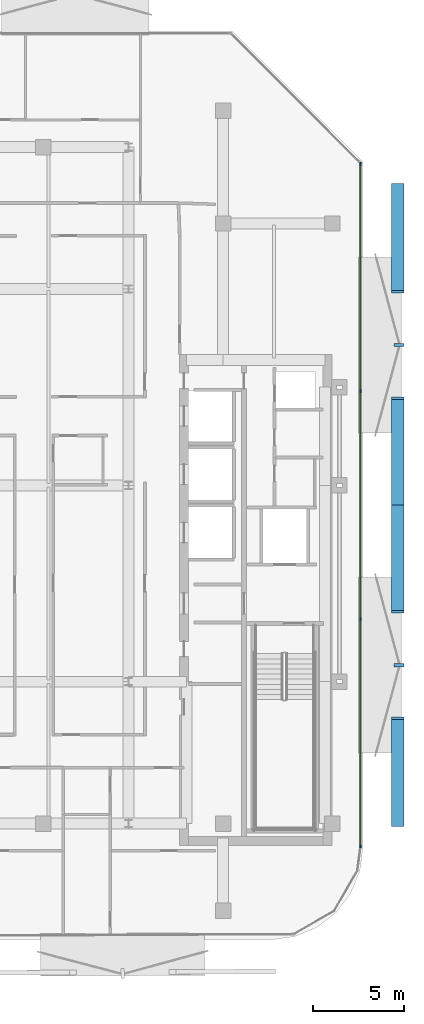
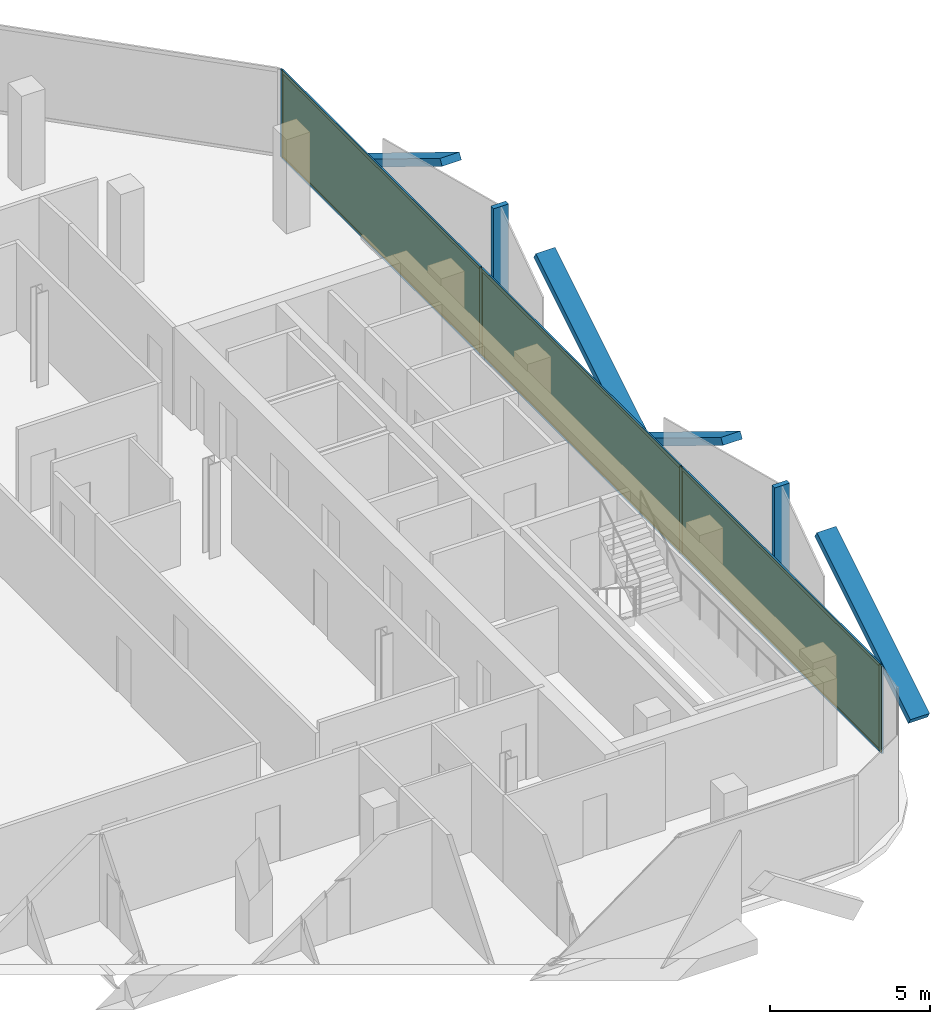
# One storey, part 10 of 15: 16 members, 3 plates, 1 curtain wall.
"""IFC4 building model written with IfcOpenShell, lengths in metres."""

import ifcopenshell
import ifcopenshell.guid

model = None  # the IFC model being written
_history = None  # IfcOwnerHistory: only IFC2X3 demands one
_inside = {}  # id of a spatial element -> (the spatial element, [elements in it])
_under = {}  # id of a project, library or spatial element -> (it, [spatial elements below it])
_declared = {}  # id of a project -> (the project, [libraries it declares])
_typed = {}  # id of a type object -> (the type object, [elements of that type])
_made_of = {}  # id of a material, layer set ... -> (it, [elements and type objects made of it])


def new_model(schema):
    """Start an empty IFC model of exactly this schema.

    Asked for "IFC4X3", IfcOpenShell would pick the latest addendum, in which some entities
    have other attributes; the version numbers below select the first issue.
    IFC2X3 requires an IfcOwnerHistory on every rooted entity: one is made here for all.
    """
    global model, _history
    if schema == "IFC4X3":
        model = ifcopenshell.file(schema_version=(4, 3, 0, 0))
    else:
        model = ifcopenshell.file(schema=schema)
    _inside.clear()
    _under.clear()
    _declared.clear()
    _typed.clear()
    _made_of.clear()
    _history = None
    if model.schema == "IFC2X3":
        org = make("IfcOrganization", Name="unknown")
        user = make(
            "IfcPersonAndOrganization",
            ThePerson=make("IfcPerson", FamilyName="unknown"),
            TheOrganization=org,
        )
        app = make(
            "IfcApplication",
            ApplicationDeveloper=org,
            Version="unknown",
            ApplicationFullName="unknown",
            ApplicationIdentifier="unknown",
        )
        _history = make(
            "IfcOwnerHistory",
            OwningUser=user,
            OwningApplication=app,
            ChangeAction="ADDED",
            CreationDate=0,
        )
    return model


def make(cls, **values):
    """One entity of the class cls with the attributes given. An attribute that is None is left unset."""
    return model.create_entity(
        cls, **{name: value for name, value in values.items() if value is not None}
    )


def rooted(cls, **values):
    """An entity with a GlobalId (a new one), such as an element, a storey or a relation."""
    return make(cls, GlobalId=ifcopenshell.guid.new(), OwnerHistory=_history, **values)


def si_unit(unit_type, name, prefix=None):
    """IfcSIUnit, for example si_unit("LENGTHUNIT", "METRE", prefix="MILLI")."""
    return make("IfcSIUnit", UnitType=unit_type, Prefix=prefix, Name=name)


def assignment(units):
    """IfcUnitAssignment: the units of a project."""
    return None if units is None else make("IfcUnitAssignment", Units=units)


def point(xyz):
    """IfcCartesianPoint."""
    return None if xyz is None else make("IfcCartesianPoint", Coordinates=xyz)


def direction(xyz):
    """IfcDirection."""
    return None if xyz is None else make("IfcDirection", DirectionRatios=xyz)


def frame(location, z_axis=None, x_axis=None):
    """IfcAxis2Placement3D, a coordinate frame: its origin and axes. An axis left out is left unset."""
    return make(
        "IfcAxis2Placement3D",
        Location=point(location),
        Axis=direction(z_axis),
        RefDirection=direction(x_axis),
    )


def frame_2d(location, x_axis=None):
    """IfcAxis2Placement2D, a coordinate frame in the plane: its origin and x axis."""
    return make(
        "IfcAxis2Placement2D", Location=point(location), RefDirection=direction(x_axis)
    )


def origin():
    """The frame at (0, 0, 0) with its axes left unset."""
    return frame((0.0, 0.0, 0.0))


def origin_2d():
    """The frame at (0, 0) in the plane with its x axis left unset."""
    return frame_2d((0.0, 0.0))


def place(relative_to, where):
    """IfcLocalPlacement: puts the frame where relative to a parent placement (None: the world)."""
    return make(
        "IfcLocalPlacement", PlacementRelTo=relative_to, RelativePlacement=where
    )


def context(
    kind, dimensions, precision=None, world=None, true_north=None, identifier=None
):
    """IfcGeometricRepresentationContext, for example the 3D "Model" context."""
    return make(
        "IfcGeometricRepresentationContext",
        ContextIdentifier=identifier,
        ContextType=kind,
        CoordinateSpaceDimension=dimensions,
        Precision=precision,
        WorldCoordinateSystem=world,
        TrueNorth=true_north,
    )


def subcontext(parent, identifier, kind, view, scale=None):
    """IfcGeometricRepresentationSubContext, for example "Body" below "Model"."""
    return make(
        "IfcGeometricRepresentationSubContext",
        ContextIdentifier=identifier,
        ContextType=kind,
        ParentContext=parent,
        TargetScale=scale,
        TargetView=view,
    )


def project(units=None, contexts=None):
    """IfcProject with its units and contexts."""
    return rooted(
        "IfcProject",
        Name="project",
        RepresentationContexts=contexts,
        UnitsInContext=assignment(units),
    )


def spatial(cls, under=None, at=None, **own):
    """A site, building, storey or space (cls), placed at a placement, below another one or the project."""
    s = rooted(cls, ObjectPlacement=at, **own)
    if under is not None:
        _under.setdefault(under.id(), (under, []))[1].append(s)
    return s


def profile(cls, at=None, kind="AREA", **sizes):
    """A parametric profile (cls). Its sizes go by their IFC names, for example OverallWidth=200.0."""
    return make(cls, ProfileType=kind, Position=at, **sizes)


def rectangle(**sizes):
    """IfcRectangleProfileDef."""
    return profile("IfcRectangleProfileDef", **sizes)


def extrude(swept, where, along, depth):
    """IfcExtrudedAreaSolid: the profile swept, set in the frame where, extruded along a direction by depth."""
    return make(
        "IfcExtrudedAreaSolid",
        SweptArea=swept,
        Position=where,
        ExtrudedDirection=direction(along),
        Depth=depth,
    )


def shape(context_of_items, identifier, shape_type, items):
    """IfcShapeRepresentation: the items that make up one representation, for example the "Body"."""
    return make(
        "IfcShapeRepresentation",
        ContextOfItems=context_of_items,
        RepresentationIdentifier=identifier,
        RepresentationType=shape_type,
        Items=items,
    )


def material(Name=None, Category=None):
    """IfcMaterial."""
    return make("IfcMaterial", Name=Name, Category=Category)


def layer(
    of_material, thickness, ventilated=None, Name=None, Category=None, Priority=None
):
    """IfcMaterialLayer: one layer of a wall or slab, of a material (None: an air gap)."""
    return make(
        "IfcMaterialLayer",
        Material=of_material,
        LayerThickness=thickness,
        IsVentilated=ventilated,
        Name=Name,
        Category=Category,
        Priority=Priority,
    )


def layer_set(layers, Name=None):
    """IfcMaterialLayerSet."""
    return make("IfcMaterialLayerSet", MaterialLayers=layers, LayerSetName=Name)


def material_profile(
    of_material, cross_section, Name=None, Category=None, Priority=None
):
    """IfcMaterialProfile: a cross section and its material."""
    return make(
        "IfcMaterialProfile",
        Name=Name,
        Material=of_material,
        Profile=cross_section,
        Priority=Priority,
        Category=Category,
    )


def profile_set(profiles, Name=None, composite=None):
    """IfcMaterialProfileSet."""
    return make(
        "IfcMaterialProfileSet",
        Name=Name,
        MaterialProfiles=profiles,
        CompositeProfile=composite,
    )


def made_of(thing, what):
    """Note that an element or type object is made of a material, layer set ...; save() writes the relation."""
    if what is not None:
        _made_of.setdefault(what.id(), (what, []))[1].append(thing)
    return thing


def type_object(cls, material=None, **own):
    """A type object (cls), such as IfcWallType, which elements share."""
    return made_of(rooted(cls, **own), material)


def element(
    cls,
    number,
    at=None,
    inside=None,
    cuts=None,
    type_object=None,
    material=None,
    context=None,
    identifier="Body",
    shape_type=None,
    held_by="IfcProductDefinitionShape",
    body=None,
    shapes=None,
    **own,
):
    """One element of the class cls, such as IfcWall. Its Tag is "e" and its number.

    at: its placement. inside: the storey or other place that contains it. cuts: it is an
    opening in that element (IfcRelVoidsElement). A single representation is given by context,
    identifier, shape_type and body (its items); several are given by shapes. held_by: the class
    of the entity that holds the representations. save() writes the other relations.
    """
    e = rooted(cls, Tag="e%d" % number, ObjectPlacement=at, **own)
    if body is not None:
        shapes = [shape(context, identifier, shape_type, body)]
    if shapes is not None:
        e.Representation = make(held_by, Representations=shapes)
    if inside is not None:
        _inside.setdefault(inside.id(), (inside, []))[1].append(e)
    if cuts is not None:
        rooted(
            "IfcRelVoidsElement", RelatingBuildingElement=cuts, RelatedOpeningElement=e
        )
    if type_object is not None:
        _typed.setdefault(type_object.id(), (type_object, []))[1].append(e)
    return made_of(e, material)


def aggregate(whole, parts):
    """IfcRelAggregates: a whole, such as a stair, and the parts it consists of."""
    return rooted("IfcRelAggregates", RelatingObject=whole, RelatedObjects=parts)


def save(model, path):
    """Write the relations noted so far, then the file.

    IfcRelAggregates (storeys below a building ...), IfcRelContainedInSpatialStructure (elements
    in a storey), IfcRelDefinesByType, IfcRelAssociatesMaterial and IfcRelDeclares: one each for
    every whole, place, type object, material and project.
    """
    for whole, parts in _under.values():
        aggregate(whole, parts)
    for where, things in _inside.values():
        rooted(
            "IfcRelContainedInSpatialStructure",
            RelatedElements=things,
            RelatingStructure=where,
        )
    for kind, things in _typed.values():
        rooted("IfcRelDefinesByType", RelatedObjects=things, RelatingType=kind)
    for what, things in _made_of.values():
        rooted("IfcRelAssociatesMaterial", RelatedObjects=things, RelatingMaterial=what)
    for by, libraries in _declared.values():
        rooted("IfcRelDeclares", RelatingContext=by, RelatedDefinitions=libraries)
    model.write(path)


model = new_model("IFC4")

# Units and contexts
model_context = context("Model", 3, precision=1e-05, world=origin(), true_north=direction((0.0, 1.0)))
body_context = subcontext(model_context, "Body", "Model", "MODEL_VIEW")
ifc_project = project(units=[si_unit("LENGTHUNIT", "METRE"), si_unit("AREAUNIT", "SQUARE_METRE"), si_unit("VOLUMEUNIT", "CUBIC_METRE"), si_unit("PLANEANGLEUNIT", "RADIAN"), si_unit("MASSUNIT", "GRAM", prefix="KILO")], contexts=[model_context])

# Member
ifc_material_1 = material(Name="Anodised Bronze Aluminium 6063-T6", Category="aluminium")
ifc_material_profile_1 = material_profile(ifc_material_1, rectangle(XDim=0.260009765625, YDim=0.699951171875, at=origin_2d()))
ifc_profile_set_1 = profile_set([ifc_material_profile_1], Name="Anodised Bronze Aluminium 6063-T6")
member_type_1 = type_object("IfcMemberType", Name="Bronze Diamond Solar-Screen Lattice Rib BDL-700", PredefinedType="MULLION", material=ifc_profile_set_1)
site_placement = place(None, origin())
building_placement = place(site_placement, origin())
storey_placement = place(building_placement, frame((0.0, 0.0, 254.800048828125)))
member_1_placement = place(storey_placement, frame((24.0, 16.52197265625, -0.130126953125), z_axis=(0.0, -0.85239529103, 0.52289795164), x_axis=(0.0, -0.52289795164, -0.85239529103)))
member_1 = element("IfcMember", 1, at=member_1_placement, type_object=member_type_1, Name="L60 Bronze Diamond Solar Screen Lattice Rib 415A", PredefinedType="MULLION", context=body_context, shape_type="SweptSolid", body=[
    extrude(rectangle(XDim=0.260009765625, YDim=0.699951171875, at=origin_2d()), origin(), (0.0, 0.0, 1.0), 6.885009765625),
])

member_2_placement = place(storey_placement, frame((24.0, -1.08447265625, -0.130126953125), z_axis=(0.0, 0.852404986233, 0.522882146803), x_axis=(0.0, 0.522882146803, -0.852404986233)))
member_2 = element("IfcMember", 2, at=member_2_placement, type_object=member_type_1, Name="L60 Bronze Diamond Solar Screen Lattice Rib 415B", PredefinedType="MULLION", context=body_context, shape_type="SweptSolid", body=[
    extrude(rectangle(XDim=0.260009765625, YDim=0.699951171875, at=origin_2d()), origin(), (0.0, 0.0, 1.0), 6.885009765625),
])

member_3_placement = place(storey_placement, frame((24.0, -1.08447265625, -0.130126953125), z_axis=(0.0, -0.85239529103, 0.52289795164), x_axis=(0.0, -0.52289795164, -0.85239529103)))
member_3 = element("IfcMember", 3, at=member_3_placement, type_object=member_type_1, Name="L60 Bronze Diamond Solar Screen Lattice Rib 416A", PredefinedType="MULLION", context=body_context, shape_type="SweptSolid", body=[
    extrude(rectangle(XDim=0.260009765625, YDim=0.699951171875, at=origin_2d()), origin(), (0.0, 0.0, 1.0), 6.885009765625),
])

member_4_placement = place(storey_placement, frame((24.0, -18.69091796875, -0.130126953125), z_axis=(0.0, 0.852404986233, 0.522882146803), x_axis=(0.0, 0.522882146803, -0.852404986233)))
member_4 = element("IfcMember", 4, at=member_4_placement, type_object=member_type_1, Name="L60 Bronze Diamond Solar Screen Lattice Rib 416B", PredefinedType="MULLION", context=body_context, shape_type="SweptSolid", body=[
    extrude(rectangle(XDim=0.260009765625, YDim=0.699951171875, at=origin_2d()), origin(), (0.0, 0.0, 1.0), 6.885009765625),
])

ifc_material_2 = material(Name="Anodised Bronze Aluminium 6063-T6", Category="aluminium")
ifc_material_profile_2 = material_profile(ifc_material_2, rectangle(XDim=0.179931640625, YDim=0.5400390625, at=origin_2d()))
ifc_profile_set_2 = profile_set([ifc_material_profile_2], Name="Anodised Bronze Aluminium 6063-T6")
member_type_2 = type_object("IfcMemberType", Name="Bronze Solar-Screen Vertical Fold Fin BSF-540", PredefinedType="MULLION", material=ifc_profile_set_2)
member_5_placement = place(storey_placement, frame((24.080078125, 7.71875, -0.130126953125), z_axis=(0.0, 0.0, 1.0), x_axis=(0.0, -1.0, 0.0)))
member_5 = element("IfcMember", 5, at=member_5_placement, type_object=member_type_2, Name="L60 Bronze Solar Screen Vertical Fin 415", PredefinedType="MULLION", context=body_context, shape_type="SweptSolid", body=[
    extrude(rectangle(XDim=0.179931640625, YDim=0.5400390625, at=origin_2d()), origin(), (0.0, 0.0, 1.0), 3.60009765625),
])

member_6_placement = place(storey_placement, frame((24.080078125, -9.8876953125, -0.130126953125), z_axis=(0.0, 0.0, 1.0), x_axis=(0.0, -1.0, 0.0)))
member_6 = element("IfcMember", 6, at=member_6_placement, type_object=member_type_2, Name="L60 Bronze Solar Screen Vertical Fin 416", PredefinedType="MULLION", context=body_context, shape_type="SweptSolid", body=[
    extrude(rectangle(XDim=0.179931640625, YDim=0.5400390625, at=origin_2d()), origin(), (0.0, 0.0, 1.0), 3.60009765625),
])

ifc_material_3 = material(Name="Anodised Bronze Aluminium 6063-T6", Category="aluminium")
ifc_material_profile_3 = material_profile(ifc_material_3, rectangle(XDim=0.06005859375, YDim=0.159912109375, at=origin_2d()))
ifc_profile_set_3 = profile_set([ifc_material_profile_3], Name="Anodised Bronze Aluminium 6063-T6")
member_type_3 = type_object("IfcMemberType", Name="CW-Z4 Mullion 60x160", PredefinedType="MULLION", material=ifc_profile_set_3)
member_7_placement = place(storey_placement, frame((21.9599609375, 17.69189453125, 0.0), z_axis=(0.0, 0.0, 1.0), x_axis=(1.0, 0.0, 0.0)))
member_7 = element("IfcMember", 7, at=member_7_placement, type_object=member_type_3, Name="CW-Z4 mullion 1", PredefinedType="MULLION", context=body_context, shape_type="SweptSolid", body=[
    extrude(rectangle(XDim=0.06005859375, YDim=0.159912109375, at=origin_2d()), origin(), (0.0, 0.0, 1.0), 3.33984375),
])

member_8_placement = place(storey_placement, frame((21.9599609375, 5.184326171875, 0.0), z_axis=(0.0, 0.0, 1.0), x_axis=(1.0, 0.0, 0.0)))
member_8 = element("IfcMember", 8, at=member_8_placement, type_object=member_type_3, Name="CW-Z4 mullion 2", PredefinedType="MULLION", context=body_context, shape_type="SweptSolid", body=[
    extrude(rectangle(XDim=0.06005859375, YDim=0.159912109375, at=origin_2d()), origin(), (0.0, 0.0, 1.0), 3.33984375),
])

member_9_placement = place(storey_placement, frame((21.9599609375, -7.353271484375, 0.0), z_axis=(0.0, 0.0, 1.0), x_axis=(1.0, 0.0, 0.0)))
member_9 = element("IfcMember", 9, at=member_9_placement, type_object=member_type_3, Name="CW-Z4 mullion 3", PredefinedType="MULLION", context=body_context, shape_type="SweptSolid", body=[
    extrude(rectangle(XDim=0.06005859375, YDim=0.159912109375, at=origin_2d()), origin(), (0.0, 0.0, 1.0), 3.33984375),
])

member_10_placement = place(storey_placement, frame((21.9599609375, -19.86083984375, 0.0), z_axis=(0.0, 0.0, 1.0), x_axis=(1.0, 0.0, 0.0)))
member_10 = element("IfcMember", 10, at=member_10_placement, type_object=member_type_3, Name="CW-Z4 mullion 4", PredefinedType="MULLION", context=body_context, shape_type="SweptSolid", body=[
    extrude(rectangle(XDim=0.06005859375, YDim=0.159912109375, at=origin_2d()), origin(), (0.0, 0.0, 1.0), 3.33984375),
])

ifc_material_4 = material(Name="Anodised Bronze Aluminium 6063-T6", Category="aluminium")
ifc_material_profile_4 = material_profile(ifc_material_4, rectangle(XDim=0.06005859375, YDim=0.125, at=origin_2d()))
ifc_profile_set_4 = profile_set([ifc_material_profile_4], Name="Anodised Bronze Aluminium 6063-T6")
member_type_4 = type_object("IfcMemberType", Name="CW-Z4 Transom 60x125", PredefinedType="USERDEFINED", material=ifc_profile_set_4)
member_11_placement = place(storey_placement, frame((21.9599609375, 17.662109375, 0.030029296875), z_axis=(0.0, -1.0, 0.0), x_axis=(1.0, 0.0, 0.0)))
member_11 = element("IfcMember", 11, at=member_11_placement, type_object=member_type_4, Name="CW-Z4 transom 1.1", ObjectType="TRANSOM", PredefinedType="USERDEFINED", context=body_context, shape_type="SweptSolid", body=[
    extrude(rectangle(XDim=0.06005859375, YDim=0.125, at=origin_2d()), origin(), (0.0, 0.0, 1.0), 12.44775390625),
])

member_12_placement = place(storey_placement, frame((21.9599609375, 17.662109375, 3.31005859375), z_axis=(0.0, -1.0, 0.0), x_axis=(1.0, 0.0, 0.0)))
member_12 = element("IfcMember", 12, at=member_12_placement, type_object=member_type_4, Name="CW-Z4 transom 1.2", ObjectType="TRANSOM", PredefinedType="USERDEFINED", context=body_context, shape_type="SweptSolid", body=[
    extrude(rectangle(XDim=0.06005859375, YDim=0.125, at=origin_2d()), origin(), (0.0, 0.0, 1.0), 12.44775390625),
])

member_13_placement = place(storey_placement, frame((21.9599609375, 5.154296875, 0.030029296875), z_axis=(0.0, -1.0, 0.0), x_axis=(1.0, 0.0, 0.0)))
member_13 = element("IfcMember", 13, at=member_13_placement, type_object=member_type_4, Name="CW-Z4 transom 2.1", ObjectType="TRANSOM", PredefinedType="USERDEFINED", context=body_context, shape_type="SweptSolid", body=[
    extrude(rectangle(XDim=0.06005859375, YDim=0.125, at=origin_2d()), origin(), (0.0, 0.0, 1.0), 12.4775390625),
])

member_14_placement = place(storey_placement, frame((21.9599609375, 5.154296875, 3.31005859375), z_axis=(0.0, -1.0, 0.0), x_axis=(1.0, 0.0, 0.0)))
member_14 = element("IfcMember", 14, at=member_14_placement, type_object=member_type_4, Name="CW-Z4 transom 2.2", ObjectType="TRANSOM", PredefinedType="USERDEFINED", context=body_context, shape_type="SweptSolid", body=[
    extrude(rectangle(XDim=0.06005859375, YDim=0.125, at=origin_2d()), origin(), (0.0, 0.0, 1.0), 12.4775390625),
])

member_15_placement = place(storey_placement, frame((21.9599609375, -7.38330078125, 0.030029296875), z_axis=(0.0, -1.0, 0.0), x_axis=(1.0, 0.0, 0.0)))
member_15 = element("IfcMember", 15, at=member_15_placement, type_object=member_type_4, Name="CW-Z4 transom 3.1", ObjectType="TRANSOM", PredefinedType="USERDEFINED", context=body_context, shape_type="SweptSolid", body=[
    extrude(rectangle(XDim=0.06005859375, YDim=0.125, at=origin_2d()), origin(), (0.0, 0.0, 1.0), 12.447509765625),
])

member_16_placement = place(storey_placement, frame((21.9599609375, -7.38330078125, 3.31005859375), z_axis=(0.0, -1.0, 0.0), x_axis=(1.0, 0.0, 0.0)))
member_16 = element("IfcMember", 16, at=member_16_placement, type_object=member_type_4, Name="CW-Z4 transom 3.2", ObjectType="TRANSOM", PredefinedType="USERDEFINED", context=body_context, shape_type="SweptSolid", body=[
    extrude(rectangle(XDim=0.06005859375, YDim=0.125, at=origin_2d()), origin(), (0.0, 0.0, 1.0), 12.447509765625),
])

# Plate
ifc_material_5 = material(Name="Low-E Solar Control Laminated Glass", Category="glass")
ifc_layer_1 = layer(ifc_material_5, 0.030029296875, Name="Low-E Solar Control Laminated Glass")
ifc_layer_set_1 = layer_set([ifc_layer_1], Name="Low-E Solar Control Laminated Glass")
plate_type = type_object("IfcPlateType", Name="CW-Z4 Low-E Double Glazed Panel 30mm", PredefinedType="CURTAIN_PANEL", material=ifc_layer_set_1)
plate_1_placement = place(storey_placement, frame((21.9599609375, 11.438232421875, 0.06005859375), z_axis=(0.0, 0.0, 1.0), x_axis=(0.0, -1.0, 0.0)))
plate_1 = element("IfcPlate", 17, at=plate_1_placement, type_object=plate_type, Name="CW-Z4 panel 1.1", PredefinedType="CURTAIN_PANEL", context=body_context, shape_type="SweptSolid", body=[
    extrude(rectangle(XDim=12.447509765625, YDim=0.030029296875, at=origin_2d()), origin(), (0.0, 0.0, 1.0), 3.219970703125),
])

plate_2_placement = place(storey_placement, frame((21.9599609375, -1.08447265625, 0.06005859375), z_axis=(0.0, 0.0, 1.0), x_axis=(0.0, -1.0, 0.0)))
plate_2 = element("IfcPlate", 18, at=plate_2_placement, type_object=plate_type, Name="CW-Z4 panel 2.1", PredefinedType="CURTAIN_PANEL", context=body_context, shape_type="SweptSolid", body=[
    extrude(rectangle(XDim=12.4775390625, YDim=0.030029296875, at=origin_2d()), origin(), (0.0, 0.0, 1.0), 3.219970703125),
])

plate_3_placement = place(storey_placement, frame((21.9599609375, -13.60693359375, 0.06005859375), z_axis=(0.0, 0.0, 1.0), x_axis=(0.0, -1.0, 0.0)))
plate_3 = element("IfcPlate", 19, at=plate_3_placement, type_object=plate_type, Name="CW-Z4 panel 3.1", PredefinedType="CURTAIN_PANEL", context=body_context, shape_type="SweptSolid", body=[
    extrude(rectangle(XDim=12.447509765625, YDim=0.030029296875, at=origin_2d()), origin(), (0.0, 0.0, 1.0), 3.219970703125),
])

# Site, building, storey
site = spatial("IfcSite", under=ifc_project, at=site_placement, CompositionType="ELEMENT")
building = spatial("IfcBuilding", under=site, at=building_placement, Name="Khairoan Windgate Tower", CompositionType="ELEMENT")
storey = spatial("IfcBuildingStorey", under=building, at=storey_placement, Name="L60", CompositionType="ELEMENT", Elevation=254.800048828125)

# Curtain wall
ifc_material_6 = material(Name="Anodised Bronze Aluminium 6063-T6", Category="aluminium")
ifc_layer_2 = layer(ifc_material_6, 0.159912109375, Name="Anodised Bronze Aluminium 6063-T6")
ifc_layer_set_2 = layer_set([ifc_layer_2], Name="Anodised Bronze Aluminium 6063-T6")
curtain_wall_type = type_object("IfcCurtainWallType", Name="Sky Residence Unitised Curtain Wall CW-Z4", PredefinedType="NOTDEFINED", material=ifc_layer_set_2)
curtain_wall_placement = place(storey_placement, frame((21.9599609375, 17.721923828125, 0.0), z_axis=(0.0, 0.0, 1.0), x_axis=(0.0, -1.0, 0.0)))
curtain_wall = element("IfcCurtainWall", 20, at=curtain_wall_placement, inside=storey, type_object=curtain_wall_type, Name="L60 Unitised Curtain Wall 11", PredefinedType="NOTDEFINED", context=body_context, shape_type="SweptSolid", body=[
    extrude(rectangle(XDim=37.61279296875, YDim=0.010009765625, at=frame_2d((18.806396484375, 0.0))), origin(), (0.0, 0.0, 1.0), 3.33984375),
])

aggregate(curtain_wall, [member_7, member_8, member_9, member_10, member_11, member_12, plate_1, member_13, member_14, plate_2, member_15, member_16, plate_3, member_1, member_2, member_5, member_3, member_4, member_6])

save(model, "model.ifc")
